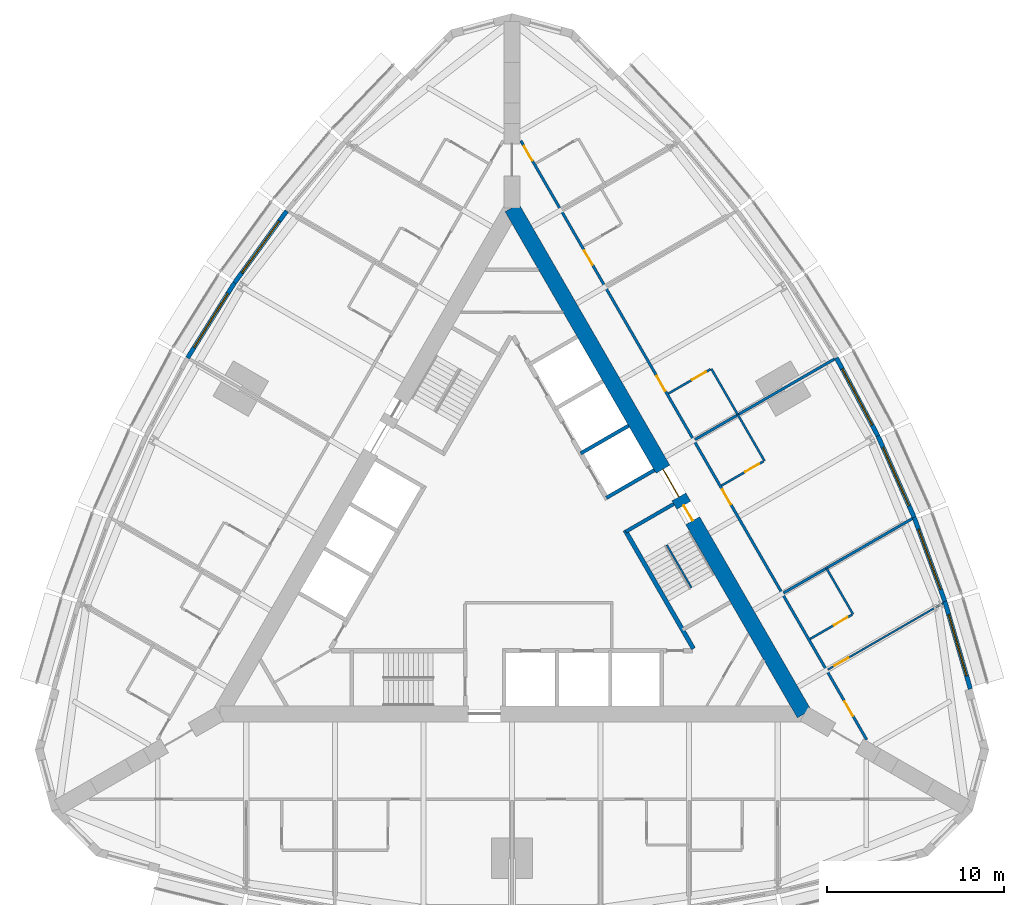
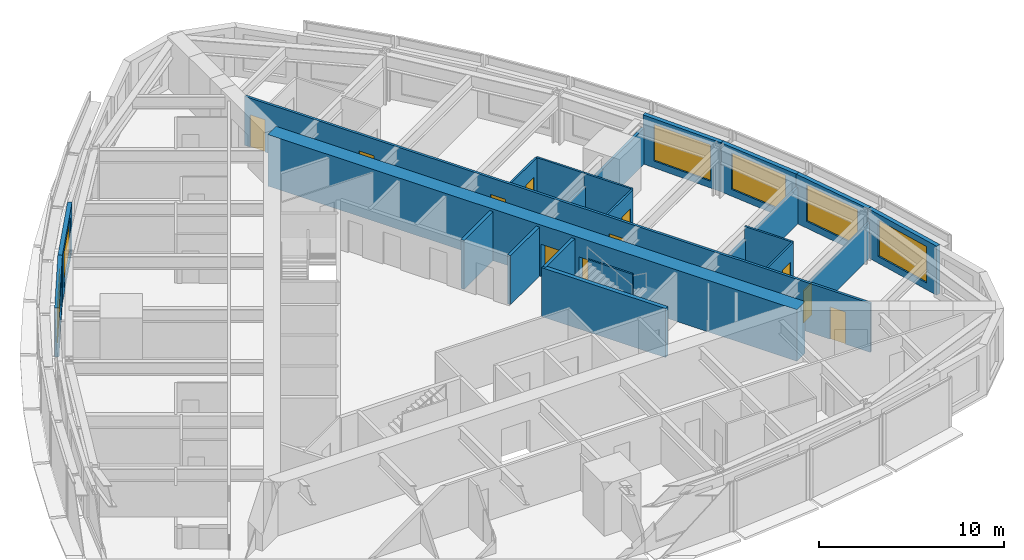
# One storey, part 11 of 14: 22 walls, 11 doors, 6 windows, 17 openings.
"""IFC4 building model written with IfcOpenShell, lengths in metres."""

from ifc_helpers import new_model, si_unit, direction, frame, frame_2d, origin, place, context, subcontext, project, spatial, rectangle, extrude, material, layer, layer_set, type_object, element, fill, save


model = new_model("IFC4")

# Units and contexts
model_context = context("Model", 3, precision=1e-05, world=origin(), true_north=direction((0.0, 1.0)))
body_context = subcontext(model_context, "Body", "Model", "MODEL_VIEW")
ifc_project = project(units=[si_unit("LENGTHUNIT", "METRE"), si_unit("AREAUNIT", "SQUARE_METRE"), si_unit("VOLUMEUNIT", "CUBIC_METRE"), si_unit("PLANEANGLEUNIT", "RADIAN"), si_unit("MASSUNIT", "GRAM", prefix="KILO")], contexts=[model_context])

# Site, building, storey
site_placement = place(None, origin())
site = spatial("IfcSite", under=ifc_project, at=site_placement, CompositionType="ELEMENT")
building_placement = place(site_placement, origin())
building = spatial("IfcBuilding", under=site, at=building_placement, Name="Trikona Tower", CompositionType="ELEMENT")
storey_placement = place(building_placement, frame((0.0, 0.0, 155.5)))
storey = spatial("IfcBuildingStorey", under=building, at=storey_placement, Name="L41", CompositionType="ELEMENT", Elevation=155.5)

# Wall
ifc_material_1 = material(Name="Metal stud and cement board", Category="gypsum")
ifc_layer_1 = layer(ifc_material_1, 0.1201171875)
ifc_layer_set_1 = layer_set([ifc_layer_1], Name="Bathroom wall 120")
wall_type_1 = type_object("IfcWallType", Name="Bathroom wall 120", PredefinedType="PLUMBINGWALL", material=ifc_layer_set_1)
wall_1_placement = place(storey_placement, frame((19.25341796875, -3.895263671875, 0.0), z_axis=(0.0, 0.0, 1.0), x_axis=(-0.499990139034, 0.866031096941, 0.0)))
element("IfcWall", 1, at=wall_1_placement, inside=storey, type_object=wall_type_1, Name="Bathroom wall 4105.1", PredefinedType="PLUMBINGWALL", context=body_context, shape_type="SweptSolid", body=[
    extrude(rectangle(XDim=3.0, YDim=0.1201171875, at=frame_2d((1.5, 0.0))), origin(), (0.0, 0.0, 1.0), 3.235107421875),
])

# Wall, opening, door
wall_2_placement = place(storey_placement, frame((16.82861328125, -5.295166015625, 0.0), z_axis=(0.0, 0.0, 1.0), x_axis=(0.866035715982, 0.499982138324, 0.0)))
wall_2 = element("IfcWall", 2, at=wall_2_placement, inside=storey, type_object=wall_type_1, Name="Bathroom wall 4105.1", PredefinedType="PLUMBINGWALL", context=body_context, shape_type="SweptSolid", body=[
    extrude(rectangle(XDim=2.73974609375, YDim=0.1201171875, at=frame_2d((1.369873046875, 0.0))), origin(), (0.0, 0.0, 1.0), 3.235107421875),
])
opening_1_placement = place(wall_2_placement, frame((1.550048828125, 0.0, 0.0)))
opening_1 = element("IfcOpeningElement", 3, at=opening_1_placement, cuts=wall_2, Name="Opening D2", PredefinedType="OPENING", context=body_context, shape_type="SweptSolid", body=[
    extrude(rectangle(XDim=0.89990234375, YDim=2.1298828125, at=frame_2d((0.449951171875, 1.06494140625))), frame((0.0, 0.070068359375, 0.0), z_axis=(0.0, -1.0, 0.0), x_axis=(1.0, 0.0, 0.0)), (0.0, 0.0, 1.0), 0.14013671875),
])
ifc_material_2 = material(Name="Steel door frame with solid-core timber leaf", Category="steel")
door_type_1 = type_object("IfcDoorType", Name="Bathroom door 900x2130", OperationType="SLIDING_TO_LEFT", PredefinedType="DOOR", material=ifc_material_2)
door_1_placement = place(opening_1_placement, origin())
door_1 = element("IfcDoor", 4, at=door_1_placement, inside=storey, type_object=door_type_1, Name="Bathroom door 4105.1", OperationType="SLIDING_TO_LEFT", OverallHeight=2.1298828125, OverallWidth=0.89990234375, PredefinedType="DOOR", context=body_context, shape_type="SweptSolid", body=[
    extrude(rectangle(XDim=0.89990234375, YDim=2.1298828125, at=frame_2d((0.449951171875, 1.06494140625))), frame((0.0, 0.02490234375, 0.0), z_axis=(0.0, -1.0, 0.0), x_axis=(1.0, 0.0, 0.0)), (0.0, 0.0, 1.0), 0.050048828125),
])
fill(opening_1, door_1)

# Wall
wall_3_placement = place(storey_placement, frame((14.25341796875, 4.76513671875, 0.0), z_axis=(0.0, 0.0, 1.0), x_axis=(-0.50002537861, 0.866010750942, 0.0)))
element("IfcWall", 5, at=wall_3_placement, inside=storey, type_object=wall_type_1, Name="Bathroom wall 4106", PredefinedType="PLUMBINGWALL", context=body_context, shape_type="SweptSolid", body=[
    extrude(rectangle(XDim=2.999755859375, YDim=0.1201171875, at=frame_2d((1.5, 0.0))), origin(), (0.0, 0.0, 1.0), 3.235107421875),
])

# Wall, opening, door
wall_4_placement = place(storey_placement, frame((11.82861328125, 3.364990234375, 0.0), z_axis=(0.0, 0.0, 1.0), x_axis=(0.865997131366, 0.500048966069, 0.0)))
wall_4 = element("IfcWall", 6, at=wall_4_placement, inside=storey, type_object=wall_type_1, Name="Bathroom wall 4106", PredefinedType="PLUMBINGWALL", context=body_context, shape_type="SweptSolid", body=[
    extrude(rectangle(XDim=2.739990234375, YDim=0.1201171875, at=frame_2d((1.3701171875, 0.0))), origin(), (0.0, 0.0, 1.0), 3.235107421875),
])
opening_2_placement = place(wall_4_placement, frame((1.550048828125, 0.0, 0.0)))
opening_2 = element("IfcOpeningElement", 7, at=opening_2_placement, cuts=wall_4, Name="Opening D2", PredefinedType="OPENING", context=body_context, shape_type="SweptSolid", body=[
    extrude(rectangle(XDim=0.89990234375, YDim=2.1298828125, at=frame_2d((0.449951171875, 1.06494140625))), frame((0.0, 0.070068359375, 0.0), z_axis=(0.0, -1.0, 0.0), x_axis=(1.0, 0.0, 0.0)), (0.0, 0.0, 1.0), 0.14013671875),
])
door_2_placement = place(opening_2_placement, origin())
door_2 = element("IfcDoor", 8, at=door_2_placement, inside=storey, type_object=door_type_1, Name="Bathroom door 4106", OperationType="SLIDING_TO_LEFT", OverallHeight=2.1298828125, OverallWidth=0.89990234375, PredefinedType="DOOR", context=body_context, shape_type="SweptSolid", body=[
    extrude(rectangle(XDim=0.89990234375, YDim=2.1298828125, at=frame_2d((0.449951171875, 1.06494140625))), frame((0.0, 0.02490234375, 0.0), z_axis=(0.0, -1.0, 0.0), x_axis=(1.0, 0.0, 0.0)), (0.0, 0.0, 1.0), 0.050048828125),
])
fill(opening_2, door_2)

# Wall
wall_5_placement = place(storey_placement, frame((12.75341796875, 7.363037109375, 0.0), z_axis=(0.0, 0.0, 1.0), x_axis=(-0.499990139034, 0.866031096941, 0.0)))
element("IfcWall", 9, at=wall_5_placement, inside=storey, type_object=wall_type_1, Name="Bathroom wall 4107", PredefinedType="PLUMBINGWALL", context=body_context, shape_type="SweptSolid", body=[
    extrude(rectangle(XDim=3.0, YDim=0.1201171875, at=frame_2d((1.5, 0.0))), origin(), (0.0, 0.0, 1.0), 3.235107421875),
])

# Wall, opening, door
wall_6_placement = place(storey_placement, frame((8.82861328125, 8.561279296875, 0.0), z_axis=(0.0, 0.0, 1.0), x_axis=(0.866035715982, 0.499982138324, 0.0)))
wall_6 = element("IfcWall", 10, at=wall_6_placement, inside=storey, type_object=wall_type_1, Name="Bathroom wall 4107", PredefinedType="PLUMBINGWALL", context=body_context, shape_type="SweptSolid", body=[
    extrude(rectangle(XDim=2.73974609375, YDim=0.1201171875, at=frame_2d((1.369873046875, 0.0))), origin(), (0.0, 0.0, 1.0), 3.235107421875),
])
opening_3_placement = place(wall_6_placement, frame((1.550048828125, 0.0, 0.0)))
opening_3 = element("IfcOpeningElement", 11, at=opening_3_placement, cuts=wall_6, Name="Opening D2", PredefinedType="OPENING", context=body_context, shape_type="SweptSolid", body=[
    extrude(rectangle(XDim=0.89990234375, YDim=2.1298828125, at=frame_2d((0.449951171875, 1.06494140625))), frame((0.0, 0.070068359375, 0.0), z_axis=(0.0, -1.0, 0.0), x_axis=(1.0, 0.0, 0.0)), (0.0, 0.0, 1.0), 0.14013671875),
])
door_3_placement = place(opening_3_placement, origin())
door_3 = element("IfcDoor", 12, at=door_3_placement, inside=storey, type_object=door_type_1, Name="Bathroom door 4107", OperationType="SLIDING_TO_LEFT", OverallHeight=2.1298828125, OverallWidth=0.89990234375, PredefinedType="DOOR", context=body_context, shape_type="SweptSolid", body=[
    extrude(rectangle(XDim=0.89990234375, YDim=2.1298828125, at=frame_2d((0.449951171875, 1.06494140625))), frame((0.0, 0.02490234375, 0.0), z_axis=(0.0, -1.0, 0.0), x_axis=(1.0, 0.0, 0.0)), (0.0, 0.0, 1.0), 0.050048828125),
])
fill(opening_3, door_3)

# Wall, openings, doors
ifc_material_3 = material(Name="Concrete f'c 10000 psi", Category="concrete")
ifc_layer_2 = layer(ifc_material_3, 0.89990234375)
ifc_layer_set_2 = layer_set([ifc_layer_2], Name="Core wall 900")
wall_type_2 = type_object("IfcWallType", Name="Core wall 900", PredefinedType="SHEAR", material=ifc_layer_set_2)
wall_7_placement = place(storey_placement, frame((16.5, -9.5263671875, 0.0), z_axis=(0.0, 0.0, 1.0), x_axis=(-0.499999749417, 0.866025548458, 0.0)))
wall_7 = element("IfcWall", 13, at=wall_7_placement, inside=storey, type_object=wall_type_2, Name="Core wall B", PredefinedType="SHEAR", context=body_context, shape_type="SweptSolid", body=[
    extrude(rectangle(XDim=33.0, YDim=0.89990234375, at=frame_2d((16.5, 0.0))), origin(), (0.0, 0.0, 1.0), 3.39990234375),
])
opening_4_placement = place(wall_7_placement, frame((14.14990234375, 0.0, 0.0)))
opening_4 = element("IfcOpeningElement", 14, at=opening_4_placement, cuts=wall_7, Name="Opening D6", PredefinedType="OPENING", context=body_context, shape_type="SweptSolid", body=[
    extrude(rectangle(XDim=1.800048828125, YDim=2.1298828125, at=frame_2d((0.89990234375, 1.06494140625))), frame((0.0, 0.4599609375, 0.0), z_axis=(0.0, -1.0, 0.0), x_axis=(1.0, 0.0, 0.0)), (0.0, 0.0, 1.0), 0.919921875),
])
opening_5_placement = place(wall_7_placement, frame((12.60009765625, 0.0, 0.0)))
opening_5 = element("IfcOpeningElement", 15, at=opening_5_placement, cuts=wall_7, Name="Opening D5", PredefinedType="OPENING", context=body_context, shape_type="SweptSolid", body=[
    extrude(rectangle(XDim=1.0, YDim=2.1298828125, at=frame_2d((0.5, 1.06494140625))), frame((0.0, 0.4599609375, 0.0), z_axis=(0.0, -1.0, 0.0), x_axis=(1.0, 0.0, 0.0)), (0.0, 0.0, 1.0), 0.919921875),
])
ifc_material_4 = material(Name="Hollow metal door and frame", Category="steel")
door_type_2 = type_object("IfcDoorType", Name="Lobby door pair 1800x2130", OperationType="DOUBLE_DOOR_SINGLE_SWING", PredefinedType="DOOR", material=ifc_material_4)
door_4_placement = place(opening_4_placement, origin())
door_4 = element("IfcDoor", 16, at=door_4_placement, inside=storey, type_object=door_type_2, Name="Lift lobby door B", OperationType="DOUBLE_DOOR_SINGLE_SWING", OverallHeight=2.1298828125, OverallWidth=1.800048828125, PredefinedType="DOOR", context=body_context, shape_type="SweptSolid", body=[
    extrude(rectangle(XDim=1.800048828125, YDim=2.1298828125, at=frame_2d((0.89990234375, 1.06494140625))), frame((0.0, 0.02490234375, 0.0), z_axis=(0.0, -1.0, 0.0), x_axis=(1.0, 0.0, 0.0)), (0.0, 0.0, 1.0), 0.050048828125),
])
fill(opening_4, door_4)
ifc_material_5 = material(Name="Hollow metal door and frame", Category="steel")
door_type_3 = type_object("IfcDoorType", Name="Stair door 1000x2130", OperationType="SINGLE_SWING_LEFT", PredefinedType="DOOR", material=ifc_material_5)
door_5_placement = place(opening_5_placement, origin())
door_5 = element("IfcDoor", 17, at=door_5_placement, inside=storey, type_object=door_type_3, Name="Stair B door", OperationType="SINGLE_SWING_RIGHT", OverallHeight=2.1298828125, OverallWidth=1.0, PredefinedType="DOOR", context=body_context, shape_type="SweptSolid", body=[
    extrude(rectangle(XDim=1.0, YDim=2.1298828125, at=frame_2d((0.5, 1.06494140625))), frame((0.0, 0.02490234375, 0.0), z_axis=(0.0, -1.0, 0.0), x_axis=(1.0, 0.0, 0.0)), (0.0, 0.0, 1.0), 0.050048828125),
])
fill(opening_5, door_5)

ifc_material_6 = material(Name="Metal stud and gypsum board, 1-hour", Category="gypsum")
ifc_layer_3 = layer(ifc_material_6, 0.14990234375)
ifc_layer_set_3 = layer_set([ifc_layer_3], Name="Corridor wall 150")
wall_type_3 = type_object("IfcWallType", Name="Corridor wall 150", PredefinedType="PARTITIONING", material=ifc_layer_set_3)
wall_8_placement = place(storey_placement, frame((20.027099609375, -10.9853515625, 0.0), z_axis=(0.0, 0.0, 1.0), x_axis=(-0.500001677587, 0.866024435227, 0.0)))
wall_8 = element("IfcWall", 18, at=wall_8_placement, inside=storey, type_object=wall_type_3, Name="Corridor wall L41-2", PredefinedType="PARTITIONING", context=body_context, shape_type="SweptSolid", body=[
    extrude(rectangle(XDim=39.053955078125, YDim=0.14990234375, at=frame_2d((19.52685546875, 0.0))), origin(), (0.0, 0.0, 1.0), 3.235107421875),
])
opening_6_placement = place(wall_8_placement, frame((1.558349609375, 0.0, 0.0)))
opening_6 = element("IfcOpeningElement", 19, at=opening_6_placement, cuts=wall_8, Name="Opening D1", PredefinedType="OPENING", context=body_context, shape_type="SweptSolid", body=[
    extrude(rectangle(XDim=0.949951171875, YDim=2.1298828125, at=frame_2d((0.47509765625, 1.06494140625))), frame((0.0, 0.0849609375, 0.0), z_axis=(0.0, -1.0, 0.0), x_axis=(1.0, 0.0, 0.0)), (0.0, 0.0, 1.0), 0.169921875),
])
opening_7_placement = place(wall_8_placement, frame((15.35205078125, 0.0, 0.0)))
opening_7 = element("IfcOpeningElement", 20, at=opening_7_placement, cuts=wall_8, Name="Opening D1", PredefinedType="OPENING", context=body_context, shape_type="SweptSolid", body=[
    extrude(rectangle(XDim=0.949951171875, YDim=2.1298828125, at=frame_2d((0.47509765625, 1.06494140625))), frame((0.0, 0.0849609375, 0.0), z_axis=(0.0, -1.0, 0.0), x_axis=(1.0, 0.0, 0.0)), (0.0, 0.0, 1.0), 0.169921875),
])
opening_8_placement = place(wall_8_placement, frame((22.751953125, 0.0, 0.0)))
opening_8 = element("IfcOpeningElement", 21, at=opening_8_placement, cuts=wall_8, Name="Opening D1", PredefinedType="OPENING", context=body_context, shape_type="SweptSolid", body=[
    extrude(rectangle(XDim=0.949951171875, YDim=2.1298828125, at=frame_2d((0.47509765625, 1.06494140625))), frame((0.0, 0.0849609375, 0.0), z_axis=(0.0, -1.0, 0.0), x_axis=(1.0, 0.0, 0.0)), (0.0, 0.0, 1.0), 0.169921875),
])
opening_9_placement = place(wall_8_placement, frame((30.951904296875, 0.0, 0.0)))
opening_9 = element("IfcOpeningElement", 22, at=opening_9_placement, cuts=wall_8, Name="Opening D1", PredefinedType="OPENING", context=body_context, shape_type="SweptSolid", body=[
    extrude(rectangle(XDim=0.949951171875, YDim=2.1298828125, at=frame_2d((0.47509765625, 1.06494140625))), frame((0.0, 0.0849609375, 0.0), z_axis=(0.0, -1.0, 0.0), x_axis=(1.0, 0.0, 0.0)), (0.0, 0.0, 1.0), 0.169921875),
])
opening_10_placement = place(wall_8_placement, frame((37.751953125, 0.0, 0.0)))
opening_10 = element("IfcOpeningElement", 23, at=opening_10_placement, cuts=wall_8, Name="Opening D1", PredefinedType="OPENING", context=body_context, shape_type="SweptSolid", body=[
    extrude(rectangle(XDim=0.949951171875, YDim=2.1298828125, at=frame_2d((0.47509765625, 1.06494140625))), frame((0.0, 0.0849609375, 0.0), z_axis=(0.0, -1.0, 0.0), x_axis=(1.0, 0.0, 0.0)), (0.0, 0.0, 1.0), 0.169921875),
])
ifc_material_7 = material(Name="Steel door frame with solid-core timber leaf", Category="steel")
door_type_4 = type_object("IfcDoorType", Name="Guest room door 950x2130", OperationType="SINGLE_SWING_LEFT", PredefinedType="DOOR", material=ifc_material_7)
door_6_placement = place(opening_6_placement, origin())
door_6 = element("IfcDoor", 24, at=door_6_placement, inside=storey, type_object=door_type_4, Name="Room door 4105", OperationType="SINGLE_SWING_LEFT", OverallHeight=2.1298828125, OverallWidth=0.949951171875, PredefinedType="DOOR", context=body_context, shape_type="SweptSolid", body=[
    extrude(rectangle(XDim=0.949951171875, YDim=2.1298828125, at=frame_2d((0.47509765625, 1.06494140625))), frame((0.0, 0.02490234375, 0.0), z_axis=(0.0, -1.0, 0.0), x_axis=(1.0, 0.0, 0.0)), (0.0, 0.0, 1.0), 0.050048828125),
])
fill(opening_6, door_6)
door_7_placement = place(opening_7_placement, origin())
door_7 = element("IfcDoor", 25, at=door_7_placement, inside=storey, type_object=door_type_4, Name="Room door 4106", OperationType="SINGLE_SWING_RIGHT", OverallHeight=2.1298828125, OverallWidth=0.949951171875, PredefinedType="DOOR", context=body_context, shape_type="SweptSolid", body=[
    extrude(rectangle(XDim=0.949951171875, YDim=2.1298828125, at=frame_2d((0.47509765625, 1.06494140625))), frame((0.0, 0.02490234375, 0.0), z_axis=(0.0, -1.0, 0.0), x_axis=(1.0, 0.0, 0.0)), (0.0, 0.0, 1.0), 0.050048828125),
])
fill(opening_7, door_7)
door_8_placement = place(opening_8_placement, origin())
door_8 = element("IfcDoor", 26, at=door_8_placement, inside=storey, type_object=door_type_4, Name="Room door 4107", OperationType="SINGLE_SWING_LEFT", OverallHeight=2.1298828125, OverallWidth=0.949951171875, PredefinedType="DOOR", context=body_context, shape_type="SweptSolid", body=[
    extrude(rectangle(XDim=0.949951171875, YDim=2.1298828125, at=frame_2d((0.47509765625, 1.06494140625))), frame((0.0, 0.02490234375, 0.0), z_axis=(0.0, -1.0, 0.0), x_axis=(1.0, 0.0, 0.0)), (0.0, 0.0, 1.0), 0.050048828125),
])
fill(opening_8, door_8)
door_9_placement = place(opening_9_placement, origin())
door_9 = element("IfcDoor", 27, at=door_9_placement, inside=storey, type_object=door_type_4, Name="Room door 4108", OperationType="SINGLE_SWING_RIGHT", OverallHeight=2.1298828125, OverallWidth=0.949951171875, PredefinedType="DOOR", context=body_context, shape_type="SweptSolid", body=[
    extrude(rectangle(XDim=0.949951171875, YDim=2.1298828125, at=frame_2d((0.47509765625, 1.06494140625))), frame((0.0, 0.02490234375, 0.0), z_axis=(0.0, -1.0, 0.0), x_axis=(1.0, 0.0, 0.0)), (0.0, 0.0, 1.0), 0.050048828125),
])
fill(opening_9, door_9)
door_10_placement = place(opening_10_placement, origin())
door_10 = element("IfcDoor", 28, at=door_10_placement, inside=storey, type_object=door_type_4, Name="Room door 4109", OperationType="SINGLE_SWING_RIGHT", OverallHeight=2.1298828125, OverallWidth=0.949951171875, PredefinedType="DOOR", context=body_context, shape_type="SweptSolid", body=[
    extrude(rectangle(XDim=0.949951171875, YDim=2.1298828125, at=frame_2d((0.47509765625, 1.06494140625))), frame((0.0, 0.02490234375, 0.0), z_axis=(0.0, -1.0, 0.0), x_axis=(1.0, 0.0, 0.0)), (0.0, 0.0, 1.0), 0.050048828125),
])
fill(opening_10, door_10)

# Wall
ifc_material_8 = material(Name="Concrete f'c 8000 psi", Category="concrete")
ifc_layer_4 = layer(ifc_material_8, 0.25)
ifc_layer_set_4 = layer_set([ifc_layer_4], Name="Hub wall 250")
wall_type_4 = type_object("IfcWallType", Name="Hub wall 250", PredefinedType="SOLIDWALL", material=ifc_layer_set_4)
wall_9_placement = place(storey_placement, frame((10.245361328125, -5.843017578125, 0.0), z_axis=(0.0, 0.0, 1.0), x_axis=(-0.499993009313, 0.866029439822, 0.0)))
element("IfcWall", 29, at=wall_9_placement, inside=storey, type_object=wall_type_4, Name="Lift lobby wall B1", PredefinedType="SOLIDWALL", context=body_context, shape_type="SweptSolid", body=[
    extrude(rectangle(XDim=7.73291015625, YDim=0.25, at=frame_2d((3.866455078125, 0.0))), origin(), (0.0, 0.0, 1.0), 3.235107421875),
])

# Wall, opening, window
ifc_material_9 = material(Name="Insulated precast concrete spandrel panel", Category="concrete")
ifc_layer_5 = layer(ifc_material_9, 0.25)
ifc_layer_set_5 = layer_set([ifc_layer_5], Name="Inner skin wall 250")
wall_type_5 = type_object("IfcWallType", Name="Inner skin wall 250", PredefinedType="STANDARD", material=ifc_layer_set_5)
wall_10_placement = place(storey_placement, frame((25.8798828125, -8.117919921875, 0.0), z_axis=(0.0, 0.0, 1.0), x_axis=(-0.279528287117, 0.960137457191, 0.0)))
wall_10 = element("IfcWall", 30, at=wall_10_placement, inside=storey, type_object=wall_type_5, Name="External wall L41-12", PredefinedType="STANDARD", context=body_context, shape_type="SweptSolid", body=[
    extrude(rectangle(XDim=5.14794921875, YDim=0.25, at=frame_2d((2.573974609375, 0.0))), origin(), (0.0, 0.0, 1.0), 3.235107421875),
])
opening_11_placement = place(wall_10_placement, frame((0.77392578125, 0.0, 0.449951171875)))
opening_11 = element("IfcOpeningElement", 31, at=opening_11_placement, cuts=wall_10, Name="Opening W3624", PredefinedType="OPENING", context=body_context, shape_type="SweptSolid", body=[
    extrude(rectangle(XDim=3.60009765625, YDim=2.39990234375, at=frame_2d((1.800048828125, 1.199951171875))), frame((0.0, 0.135009765625, 0.0), z_axis=(0.0, -1.0, 0.0), x_axis=(1.0, 0.0, 0.0)), (0.0, 0.0, 1.0), 0.27001953125),
])
ifc_material_10 = material(Name="Aluminium-framed double glazing", Category="aluminium")
window_type = type_object("IfcWindowType", Name="Window 3600x2400", PartitioningType="SINGLE_PANEL", PredefinedType="WINDOW", material=ifc_material_10)
window_1_placement = place(opening_11_placement, origin())
window_1 = element("IfcWindow", 32, at=window_1_placement, inside=storey, type_object=window_type, Name="Window 4105", OverallHeight=2.39990234375, OverallWidth=3.60009765625, PartitioningType="SINGLE_PANEL", PredefinedType="WINDOW", context=body_context, shape_type="SweptSolid", body=[
    extrude(rectangle(XDim=3.60009765625, YDim=2.39990234375, at=frame_2d((1.800048828125, 1.199951171875))), frame((0.0, 0.030029296875, 0.0), z_axis=(0.0, -1.0, 0.0), x_axis=(1.0, 0.0, 0.0)), (0.0, 0.0, 1.0), 0.06005859375),
])
fill(opening_11, window_1)

wall_11_placement = place(storey_placement, frame((24.443603515625, -3.18310546875, 0.0), z_axis=(0.0, 0.0, 1.0), x_axis=(-0.343225593282, 0.939252996863, 0.0)))
wall_11 = element("IfcWall", 33, at=wall_11_placement, inside=storey, type_object=wall_type_5, Name="External wall L41-13", PredefinedType="STANDARD", context=body_context, shape_type="SweptSolid", body=[
    extrude(rectangle(XDim=5.075927734375, YDim=0.25, at=frame_2d((2.5380859375, 0.0))), origin(), (0.0, 0.0, 1.0), 3.235107421875),
])
opening_12_placement = place(wall_11_placement, frame((0.738037109375, 0.0, 0.449951171875)))
opening_12 = element("IfcOpeningElement", 34, at=opening_12_placement, cuts=wall_11, Name="Opening W3624", PredefinedType="OPENING", context=body_context, shape_type="SweptSolid", body=[
    extrude(rectangle(XDim=3.60009765625, YDim=2.39990234375, at=frame_2d((1.800048828125, 1.199951171875))), frame((0.0, 0.135009765625, 0.0), z_axis=(0.0, -1.0, 0.0), x_axis=(1.0, 0.0, 0.0)), (0.0, 0.0, 1.0), 0.27001953125),
])
window_2_placement = place(opening_12_placement, origin())
window_2 = element("IfcWindow", 35, at=window_2_placement, inside=storey, type_object=window_type, Name="Window 4105.1", OverallHeight=2.39990234375, OverallWidth=3.60009765625, PartitioningType="SINGLE_PANEL", PredefinedType="WINDOW", context=body_context, shape_type="SweptSolid", body=[
    extrude(rectangle(XDim=3.60009765625, YDim=2.39990234375, at=frame_2d((1.800048828125, 1.199951171875))), frame((0.0, 0.030029296875, 0.0), z_axis=(0.0, -1.0, 0.0), x_axis=(1.0, 0.0, 0.0)), (0.0, 0.0, 1.0), 0.06005859375),
])
fill(opening_12, window_2)

wall_12_placement = place(storey_placement, frame((22.70458984375, 1.576416015625, 0.0), z_axis=(0.0, 0.0, 1.0), x_axis=(-0.406832200364, 0.913502906808, 0.0)))
wall_12 = element("IfcWall", 36, at=wall_12_placement, inside=storey, type_object=wall_type_5, Name="External wall L41-14", PredefinedType="STANDARD", context=body_context, shape_type="SweptSolid", body=[
    extrude(rectangle(XDim=5.027587890625, YDim=0.25, at=frame_2d((2.513671875, 0.0))), origin(), (0.0, 0.0, 1.0), 3.235107421875),
])
opening_13_placement = place(wall_12_placement, frame((0.713623046875, 0.0, 0.449951171875)))
opening_13 = element("IfcOpeningElement", 37, at=opening_13_placement, cuts=wall_12, Name="Opening W3624", PredefinedType="OPENING", context=body_context, shape_type="SweptSolid", body=[
    extrude(rectangle(XDim=3.60009765625, YDim=2.39990234375, at=frame_2d((1.800048828125, 1.199951171875))), frame((0.0, 0.135009765625, 0.0), z_axis=(0.0, -1.0, 0.0), x_axis=(1.0, 0.0, 0.0)), (0.0, 0.0, 1.0), 0.27001953125),
])
window_3_placement = place(opening_13_placement, origin())
window_3 = element("IfcWindow", 38, at=window_3_placement, inside=storey, type_object=window_type, Name="Window 4106", OverallHeight=2.39990234375, OverallWidth=3.60009765625, PartitioningType="SINGLE_PANEL", PredefinedType="WINDOW", context=body_context, shape_type="SweptSolid", body=[
    extrude(rectangle(XDim=3.60009765625, YDim=2.39990234375, at=frame_2d((1.800048828125, 1.199951171875))), frame((0.0, 0.030029296875, 0.0), z_axis=(0.0, -1.0, 0.0), x_axis=(1.0, 0.0, 0.0)), (0.0, 0.0, 1.0), 0.06005859375),
])
fill(opening_13, window_3)

wall_13_placement = place(storey_placement, frame((20.662841796875, 6.161376953125, 0.0), z_axis=(0.0, 0.0, 1.0), x_axis=(-0.469404966864, 0.882982999317, 0.0)))
wall_13 = element("IfcWall", 39, at=wall_13_placement, inside=storey, type_object=wall_type_5, Name="External wall L41-15", PredefinedType="STANDARD", context=body_context, shape_type="SweptSolid", body=[
    extrude(rectangle(XDim=5.0029296875, YDim=0.25, at=frame_2d((2.50146484375, 0.0))), origin(), (0.0, 0.0, 1.0), 3.235107421875),
])
opening_14_placement = place(wall_13_placement, frame((0.701416015625, 0.0, 0.449951171875)))
opening_14 = element("IfcOpeningElement", 40, at=opening_14_placement, cuts=wall_13, Name="Opening W3624", PredefinedType="OPENING", context=body_context, shape_type="SweptSolid", body=[
    extrude(rectangle(XDim=3.60009765625, YDim=2.39990234375, at=frame_2d((1.800048828125, 1.199951171875))), frame((0.0, 0.135009765625, 0.0), z_axis=(0.0, -1.0, 0.0), x_axis=(1.0, 0.0, 0.0)), (0.0, 0.0, 1.0), 0.27001953125),
])
window_4_placement = place(opening_14_placement, origin())
window_4 = element("IfcWindow", 41, at=window_4_placement, inside=storey, type_object=window_type, Name="Window 4106", OverallHeight=2.39990234375, OverallWidth=3.60009765625, PartitioningType="SINGLE_PANEL", PredefinedType="WINDOW", context=body_context, shape_type="SweptSolid", body=[
    extrude(rectangle(XDim=3.60009765625, YDim=2.39990234375, at=frame_2d((1.800048828125, 1.199951171875))), frame((0.0, 0.030029296875, 0.0), z_axis=(0.0, -1.0, 0.0), x_axis=(1.0, 0.0, 0.0)), (0.0, 0.0, 1.0), 0.06005859375),
])
fill(opening_14, window_4)

wall_14_placement = place(storey_placement, frame((-12.717529296875, 18.87451171875, 0.0), z_axis=(0.0, 0.0, 1.0), x_axis=(-0.587669188412, -0.809101307001, 0.0)))
wall_14 = element("IfcWall", 42, at=wall_14_placement, inside=storey, type_object=wall_type_5, Name="External wall L41-26", PredefinedType="STANDARD", context=body_context, shape_type="SweptSolid", body=[
    extrude(rectangle(XDim=5.027587890625, YDim=0.25, at=frame_2d((2.513671875, 0.0))), origin(), (0.0, 0.0, 1.0), 3.235107421875),
])
opening_15_placement = place(wall_14_placement, frame((0.7138671875, 0.0, 0.449951171875)))
opening_15 = element("IfcOpeningElement", 43, at=opening_15_placement, cuts=wall_14, Name="Opening W3624", PredefinedType="OPENING", context=body_context, shape_type="SweptSolid", body=[
    extrude(rectangle(XDim=3.60009765625, YDim=2.39990234375, at=frame_2d((1.800048828125, 1.199951171875))), frame((0.0, 0.135009765625, 0.0), z_axis=(0.0, -1.0, 0.0), x_axis=(1.0, 0.0, 0.0)), (0.0, 0.0, 1.0), 0.27001953125),
])
window_5_placement = place(opening_15_placement, origin())
window_5 = element("IfcWindow", 44, at=window_5_placement, inside=storey, type_object=window_type, Name="Window 4112", OverallHeight=2.39990234375, OverallWidth=3.60009765625, PartitioningType="SINGLE_PANEL", PredefinedType="WINDOW", context=body_context, shape_type="SweptSolid", body=[
    extrude(rectangle(XDim=3.60009765625, YDim=2.39990234375, at=frame_2d((1.800048828125, 1.199951171875))), frame((0.0, 0.030029296875, 0.0), z_axis=(0.0, -1.0, 0.0), x_axis=(1.0, 0.0, 0.0)), (0.0, 0.0, 1.0), 0.06005859375),
])
fill(opening_15, window_5)

wall_15_placement = place(storey_placement, frame((-15.667236328125, 14.81396484375, 0.0), z_axis=(0.0, 0.0, 1.0), x_axis=(-0.529990167382, -0.84800378683, 0.0)))
wall_15 = element("IfcWall", 45, at=wall_15_placement, inside=storey, type_object=wall_type_5, Name="External wall L41-27", PredefinedType="STANDARD", context=body_context, shape_type="SweptSolid", body=[
    extrude(rectangle(XDim=5.003173828125, YDim=0.25, at=frame_2d((2.50146484375, 0.0))), origin(), (0.0, 0.0, 1.0), 3.235107421875),
])
opening_16_placement = place(wall_15_placement, frame((0.701416015625, 0.0, 0.449951171875)))
opening_16 = element("IfcOpeningElement", 46, at=opening_16_placement, cuts=wall_15, Name="Opening W3624", PredefinedType="OPENING", context=body_context, shape_type="SweptSolid", body=[
    extrude(rectangle(XDim=3.60009765625, YDim=2.39990234375, at=frame_2d((1.800048828125, 1.199951171875))), frame((0.0, 0.135009765625, 0.0), z_axis=(0.0, -1.0, 0.0), x_axis=(1.0, 0.0, 0.0)), (0.0, 0.0, 1.0), 0.27001953125),
])
window_6_placement = place(opening_16_placement, origin())
window_6 = element("IfcWindow", 47, at=window_6_placement, inside=storey, type_object=window_type, Name="Window 4112", OverallHeight=2.39990234375, OverallWidth=3.60009765625, PartitioningType="SINGLE_PANEL", PredefinedType="WINDOW", context=body_context, shape_type="SweptSolid", body=[
    extrude(rectangle(XDim=3.60009765625, YDim=2.39990234375, at=frame_2d((1.800048828125, 1.199951171875))), frame((0.0, 0.030029296875, 0.0), z_axis=(0.0, -1.0, 0.0), x_axis=(1.0, 0.0, 0.0)), (0.0, 0.0, 1.0), 0.06005859375),
])
fill(opening_16, window_6)

# Walls
ifc_material_11 = material(Name="Metal stud and gypsum board, 1-hour acoustic", Category="gypsum")
ifc_layer_6 = layer(ifc_material_11, 0.14990234375)
ifc_layer_set_6 = layer_set([ifc_layer_6], Name="Party wall 150")
wall_type_6 = type_object("IfcWallType", Name="Party wall 150", PredefinedType="PARTITIONING", material=ifc_layer_set_6)
wall_16_placement = place(storey_placement, frame((15.32861328125, -2.697021484375, 0.0), z_axis=(0.0, 0.0, 1.0), x_axis=(0.866024316602, 0.50000188305, 0.0)))
element("IfcWall", 48, at=wall_16_placement, inside=storey, type_object=wall_type_6, Name="Partition L41 F2 u-10", PredefinedType="PARTITIONING", context=body_context, shape_type="SweptSolid", body=[
    extrude(rectangle(XDim=8.39501953125, YDim=0.14990234375, at=frame_2d((4.197509765625, 0.0))), origin(), (0.0, 0.0, 1.0), 2.38916015625),
])
wall_17_placement = place(storey_placement, frame((10.32861328125, 5.963134765625, 0.0), z_axis=(0.0, 0.0, 1.0), x_axis=(0.866025170687, 0.500000403736, 0.0)))
element("IfcWall", 49, at=wall_17_placement, inside=storey, type_object=wall_type_6, Name="Partition L41 F2 u-4.44089e-15", PredefinedType="PARTITIONING", context=body_context, shape_type="SweptSolid", body=[
    extrude(rectangle(XDim=9.0986328125, YDim=0.14990234375, at=frame_2d((4.54931640625, 0.0))), origin(), (0.0, 0.0, 1.0), 2.38916015625),
])
ifc_material_12 = material(Name="Concrete f'c 8000 psi", Category="concrete")
ifc_layer_7 = layer(ifc_material_12, 0.199951171875)
ifc_layer_set_7 = layer_set([ifc_layer_7], Name="Shaft wall 200")
wall_type_7 = type_object("IfcWallType", Name="Shaft wall 200", PredefinedType="SOLIDWALL", material=ifc_layer_set_7)
for number, where, z_axis, x_axis, name in (
    (50, (5.3291015625, 2.672607421875, 0.0), (0.0, 0.0, 1.0), (0.866022959057, 0.500004234368, 0.0), "Shaft wall B3"),
    (51, (3.87890625, 5.18408203125, 0.0), (0.0, 0.0, 1.0), (0.866022959057, 0.500004234368, 0.0), "Shaft wall B4"),
):
    element("IfcWall", number, at=place(storey_placement, frame(where, z_axis=z_axis, x_axis=x_axis)), inside=storey, type_object=wall_type_7, Name=name, PredefinedType="SOLIDWALL", context=body_context, shape_type="SweptSolid", body=[
        extrude(rectangle(XDim=3.125, YDim=0.199951171875, at=frame_2d((1.5625, 0.0))), origin(), (0.0, 0.0, 1.0), 3.235107421875),
    ])
ifc_material_13 = material(Name="Concrete f'c 8000 psi", Category="concrete")
ifc_layer_8 = layer(ifc_material_13, 0.199951171875)
ifc_layer_set_8 = layer_set([ifc_layer_8], Name="Shaft wall 200 load-bearing")
wall_type_8 = type_object("IfcWallType", Name="Shaft wall 200 load-bearing", PredefinedType="SOLIDWALL", material=ifc_layer_set_8)
wall_18_placement = place(storey_placement, frame((6.428955078125, 0.767333984375, 0.0), z_axis=(0.0, 0.0, 1.0), x_axis=(0.866022959057, 0.500004234368, 0.0)))
element("IfcWall", 52, at=wall_18_placement, inside=storey, type_object=wall_type_8, Name="Shaft wall B2", PredefinedType="SOLIDWALL", context=body_context, shape_type="SweptSolid", body=[
    extrude(rectangle(XDim=3.125, YDim=0.199951171875, at=frame_2d((1.5625, 0.0))), origin(), (0.0, 0.0, 1.0), 3.235107421875),
])
ifc_material_14 = material(Name="Concrete f'c 5000 psi", Category="concrete")
ifc_layer_9 = layer(ifc_material_14, 0.10009765625)
ifc_layer_set_9 = layer_set([ifc_layer_9], Name="Stair spine wall 100")
wall_type_9 = type_object("IfcWallType", Name="Stair spine wall 100", PredefinedType="SOLIDWALL", material=ifc_layer_set_9)
wall_19_placement = place(storey_placement, frame((10.134765625, -2.4013671875, 0.0), z_axis=(0.0, 0.0, 1.0), x_axis=(-0.499992232847, 0.866029888106, 0.0)))
element("IfcWall", 53, at=wall_19_placement, inside=storey, type_object=wall_type_9, Name="Stair B spine wall L41", PredefinedType="SOLIDWALL", context=body_context, shape_type="SweptSolid", body=[
    extrude(rectangle(XDim=2.7939453125, YDim=0.10009765625, at=frame_2d((1.39697265625, 0.0))), origin(), (0.0, 0.0, 1.0), 3.39990234375),
])

# Wall, opening, door
ifc_material_15 = material(Name="Metal stud and gypsum board, acoustic", Category="gypsum")
ifc_layer_10 = layer(ifc_material_15, 0.10009765625)
ifc_layer_set_10 = layer_set([ifc_layer_10], Name="Suite partition 100")
wall_type_10 = type_object("IfcWallType", Name="Suite partition 100", PredefinedType="PARTITIONING", material=ifc_layer_set_10)
wall_20_placement = place(storey_placement, frame((17.82861328125, -7.027099609375, 0.0), z_axis=(0.0, 0.0, 1.0), x_axis=(0.866029804378, 0.499992377871, 0.0)))
wall_20 = element("IfcWall", 54, at=wall_20_placement, inside=storey, type_object=wall_type_10, Name="Suite partition L41 F2 u-15", PredefinedType="PARTITIONING", context=body_context, shape_type="SweptSolid", body=[
    extrude(rectangle(XDim=7.51611328125, YDim=0.10009765625, at=frame_2d((3.758056640625, 0.0))), origin(), (0.0, 0.0, 1.0), 2.38916015625),
])
opening_17_placement = place(wall_20_placement, frame((0.449951171875, 0.0, 0.0)))
opening_17 = element("IfcOpeningElement", 55, at=opening_17_placement, cuts=wall_20, Name="Opening D13", PredefinedType="OPENING", context=body_context, shape_type="SweptSolid", body=[
    extrude(rectangle(XDim=0.89990234375, YDim=2.1298828125, at=frame_2d((0.449951171875, 1.06494140625))), frame((0.0, 0.06005859375, 0.0), z_axis=(0.0, -1.0, 0.0), x_axis=(1.0, 0.0, 0.0)), (0.0, 0.0, 1.0), 0.1201171875),
])
ifc_material_16 = material(Name="Steel door frame with solid-core timber leaf", Category="steel")
door_type_5 = type_object("IfcDoorType", Name="Suite door 900x2130", OperationType="SINGLE_SWING_LEFT", PredefinedType="DOOR", material=ifc_material_16)
door_11_placement = place(opening_17_placement, origin())
door_11 = element("IfcDoor", 56, at=door_11_placement, inside=storey, type_object=door_type_5, Name="Suite door 4105", OperationType="SINGLE_SWING_LEFT", OverallHeight=2.1298828125, OverallWidth=0.89990234375, PredefinedType="DOOR", context=body_context, shape_type="SweptSolid", body=[
    extrude(rectangle(XDim=0.89990234375, YDim=2.1298828125, at=frame_2d((0.449951171875, 1.06494140625))), frame((0.0, 0.02490234375, 0.0), z_axis=(0.0, -1.0, 0.0), x_axis=(1.0, 0.0, 0.0)), (0.0, 0.0, 1.0), 0.050048828125),
])
fill(opening_17, door_11)

save(model, "model.ifc")
